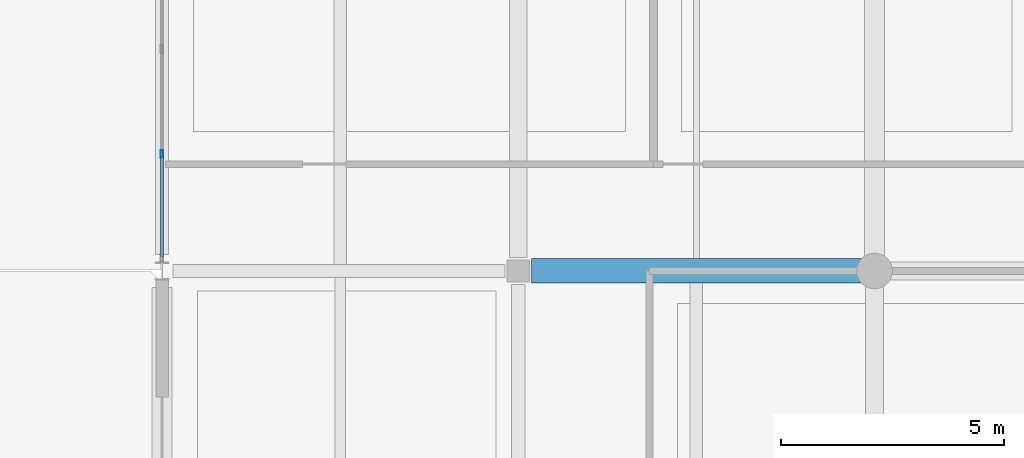
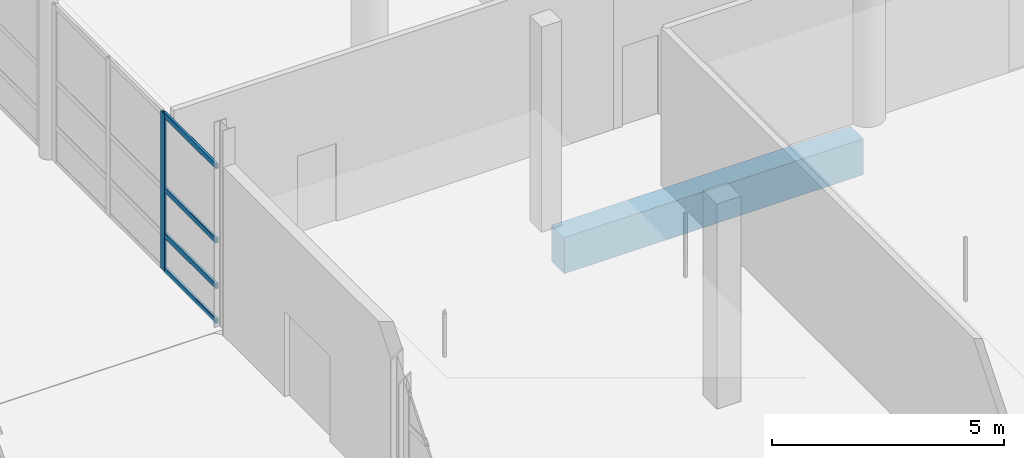
# One storey, part 34 of 126: 5 members, 1 beam, 1 element without a shape of its own.
"""IFC4 building model written with IfcOpenShell, lengths in metres."""

from ifc_helpers import new_model, si_unit, direction, frame, origin, origin_2d, place, context, subcontext, project, spatial, rectangle, hollow_rectangle, extrude, material, material_profile, profile_set, type_object, element, aggregate, save


model = new_model("IFC4")

# Units and contexts
model_context = context("Model", 3, precision=1e-05, world=origin(), true_north=direction((0.0, 1.0)))
body_context = subcontext(model_context, "Body", "Model", "MODEL_VIEW")
ifc_project = project(units=[si_unit("LENGTHUNIT", "METRE"), si_unit("AREAUNIT", "SQUARE_METRE"), si_unit("VOLUMEUNIT", "CUBIC_METRE"), si_unit("PLANEANGLEUNIT", "RADIAN"), si_unit("MASSUNIT", "GRAM", prefix="KILO")], contexts=[model_context])

# Site, building, storey
site_placement = place(None, origin())
site = spatial("IfcSite", under=ifc_project, at=site_placement, CompositionType="ELEMENT")
building_placement = place(site_placement, origin())
building = spatial("IfcBuilding", under=site, at=building_placement, Name="Khelvaren Railside Concert Hall", CompositionType="ELEMENT")
storey_placement = place(building_placement, origin())
storey = spatial("IfcBuildingStorey", under=building, at=storey_placement, Name="L00", CompositionType="ELEMENT", Elevation=0.0)

# Curtain wall, members
ifc_material_1 = material(Name="Double-glazed low-E dark acoustic glass", Category="glass")
curtain_wall_type = type_object("IfcCurtainWallType", Name="CW94", PredefinedType="USERDEFINED", material=ifc_material_1)
curtain_wall_placement = place(storey_placement, origin())
curtain_wall = element("IfcCurtainWall", 1, at=curtain_wall_placement, inside=storey, type_object=curtain_wall_type, Name="Unitised Curtain Wall CW-V2-L00-W-23", ObjectType="UNITISED CURTAIN WALL", PredefinedType="USERDEFINED")
ifc_material_2 = material(Name="Anodised architectural aluminium 6063-T6", Category="aluminium")
ifc_material_profile_1 = material_profile(ifc_material_2, hollow_rectangle(XDim=0.06494140625, YDim=0.179931640625, WallThickness=0.00390625, InnerFilletRadius=0.001953125, OuterFilletRadius=0.00390625, at=origin_2d()), Name="CWM 65x180x4")
ifc_profile_set_1 = profile_set([ifc_material_profile_1], Name="Anodised architectural aluminium 6063-T6")
member_type_1 = type_object("IfcMemberType", Name="CWM63", PredefinedType="MULLION", material=ifc_profile_set_1)
member_1_placement = place(storey_placement, frame((144.0, 25.418212890625, 0.0), z_axis=(0.0, 0.0, 1.0), x_axis=(-1.0, 0.0, 0.0)))
member_1 = element("IfcMember", 2, at=member_1_placement, type_object=member_type_1, Name="CW94 mullion 2", PredefinedType="MULLION", context=body_context, shape_type="SweptSolid", body=[
    extrude(hollow_rectangle(XDim=0.06494140625, YDim=0.179931640625, WallThickness=0.00390625, InnerFilletRadius=0.001953125, OuterFilletRadius=0.00390625, at=origin_2d()), origin(), (0.0, 0.0, 1.0), 4.139892578125),
])
ifc_material_profile_2 = material_profile(ifc_material_2, hollow_rectangle(XDim=0.06494140625, YDim=0.139892578125, WallThickness=0.00390625, InnerFilletRadius=0.001953125, OuterFilletRadius=0.00390625, at=origin_2d()), Name="CWT 65x140x4")
ifc_profile_set_2 = profile_set([ifc_material_profile_2], Name="Anodised architectural aluminium 6063-T6")
member_type_2 = type_object("IfcMemberType", Name="CWT72", PredefinedType="USERDEFINED", material=ifc_profile_set_2)
member_2_placement = place(storey_placement, frame((144.0, 23.12744140625, 0.032470703125), z_axis=(0.0, 1.0, 0.0), x_axis=(-1.0, 0.0, 0.0)))
member_2 = element("IfcMember", 3, at=member_2_placement, type_object=member_type_2, Name="CW94 transom 1.1", ObjectType="TRANSOM", PredefinedType="USERDEFINED", context=body_context, shape_type="SweptSolid", body=[
    extrude(hollow_rectangle(XDim=0.06494140625, YDim=0.139892578125, WallThickness=0.00390625, InnerFilletRadius=0.001953125, OuterFilletRadius=0.00390625, at=origin_2d()), origin(), (0.0, 0.0, 1.0), 2.258056640625),
])
member_3_placement = place(storey_placement, frame((144.0, 23.12744140625, 0.949951171875), z_axis=(0.0, 1.0, 0.0), x_axis=(-1.0, 0.0, 0.0)))
member_3 = element("IfcMember", 4, at=member_3_placement, type_object=member_type_2, Name="CW94 transom 1.2", ObjectType="TRANSOM", PredefinedType="USERDEFINED", context=body_context, shape_type="SweptSolid", body=[
    extrude(hollow_rectangle(XDim=0.06494140625, YDim=0.139892578125, WallThickness=0.00390625, InnerFilletRadius=0.001953125, OuterFilletRadius=0.00390625, at=origin_2d()), origin(), (0.0, 0.0, 1.0), 2.258056640625),
])
member_4_placement = place(storey_placement, frame((144.0, 23.12744140625, 2.15283203125), z_axis=(0.0, 1.0, 0.0), x_axis=(-1.0, 0.0, 0.0)))
member_4 = element("IfcMember", 5, at=member_4_placement, type_object=member_type_2, Name="CW94 transom 1.3", ObjectType="TRANSOM", PredefinedType="USERDEFINED", context=body_context, shape_type="SweptSolid", body=[
    extrude(hollow_rectangle(XDim=0.06494140625, YDim=0.139892578125, WallThickness=0.00390625, InnerFilletRadius=0.001953125, OuterFilletRadius=0.00390625, at=origin_2d()), origin(), (0.0, 0.0, 1.0), 2.258056640625),
])
member_5_placement = place(storey_placement, frame((144.0, 23.12744140625, 4.107421875), z_axis=(0.0, 1.0, 0.0), x_axis=(-1.0, 0.0, 0.0)))
member_5 = element("IfcMember", 6, at=member_5_placement, type_object=member_type_2, Name="CW94 transom 1.4", ObjectType="TRANSOM", PredefinedType="USERDEFINED", context=body_context, shape_type="SweptSolid", body=[
    extrude(hollow_rectangle(XDim=0.06494140625, YDim=0.139892578125, WallThickness=0.00390625, InnerFilletRadius=0.001953125, OuterFilletRadius=0.00390625, at=origin_2d()), origin(), (0.0, 0.0, 1.0), 2.258056640625),
])
aggregate(curtain_wall, [member_1, member_2, member_3, member_4, member_5])

# Beam
ifc_material_3 = material(Name="Concrete C40/50", Category="concrete")
ifc_material_profile_3 = material_profile(ifc_material_3, rectangle(XDim=0.550048828125, YDim=0.949951171875, at=origin_2d()), Name="RCB 550x950")
ifc_profile_set_3 = profile_set([ifc_material_profile_3], Name="Concrete C40/50")
beam_type = type_object("IfcBeamType", Name="GR57", PredefinedType="T_BEAM", material=ifc_profile_set_3)
beam_placement = place(storey_placement, frame((152.300048828125, 22.800048828125, -0.794921875), z_axis=(1.0, 0.0, 0.0), x_axis=(0.0, 1.0, 0.0)))
element("IfcBeam", 7, at=beam_placement, inside=storey, type_object=beam_type, Name="V2 L00 T_Beam X4.2", PredefinedType="T_BEAM", context=body_context, shape_type="SweptSolid", body=[
    extrude(rectangle(XDim=0.550048828125, YDim=0.949951171875, at=origin_2d()), origin(), (0.0, 0.0, 1.0), 7.449951171875),
])

save(model, "model.ifc")
